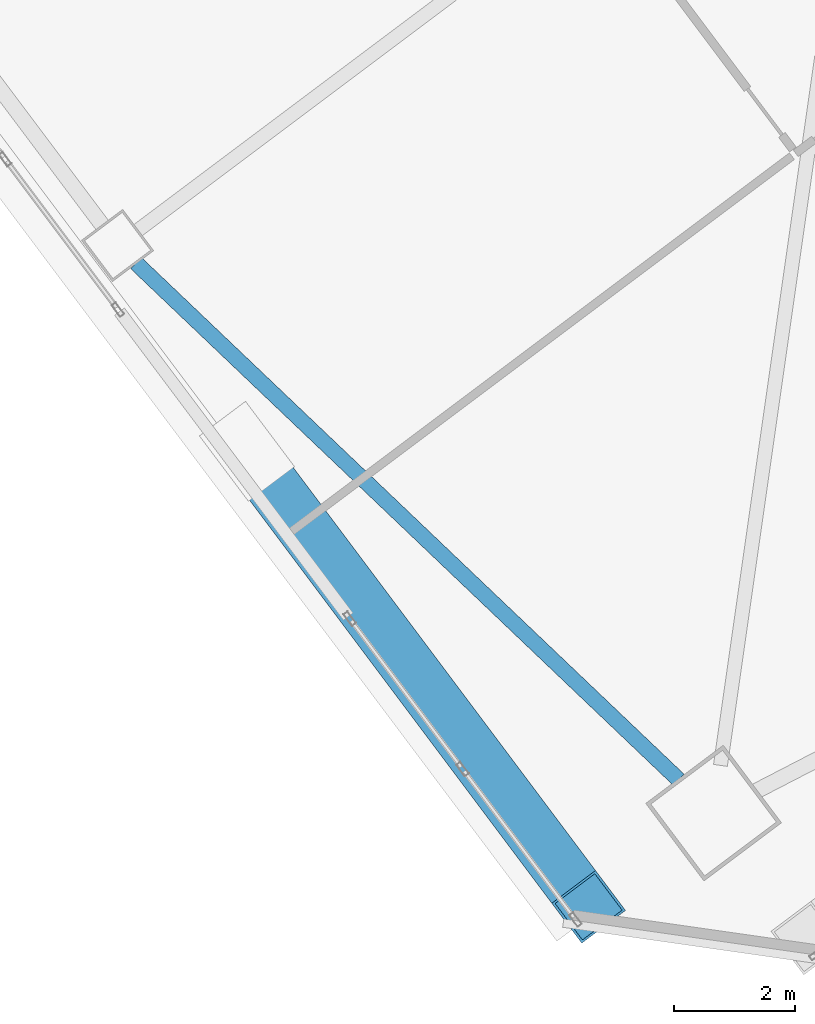
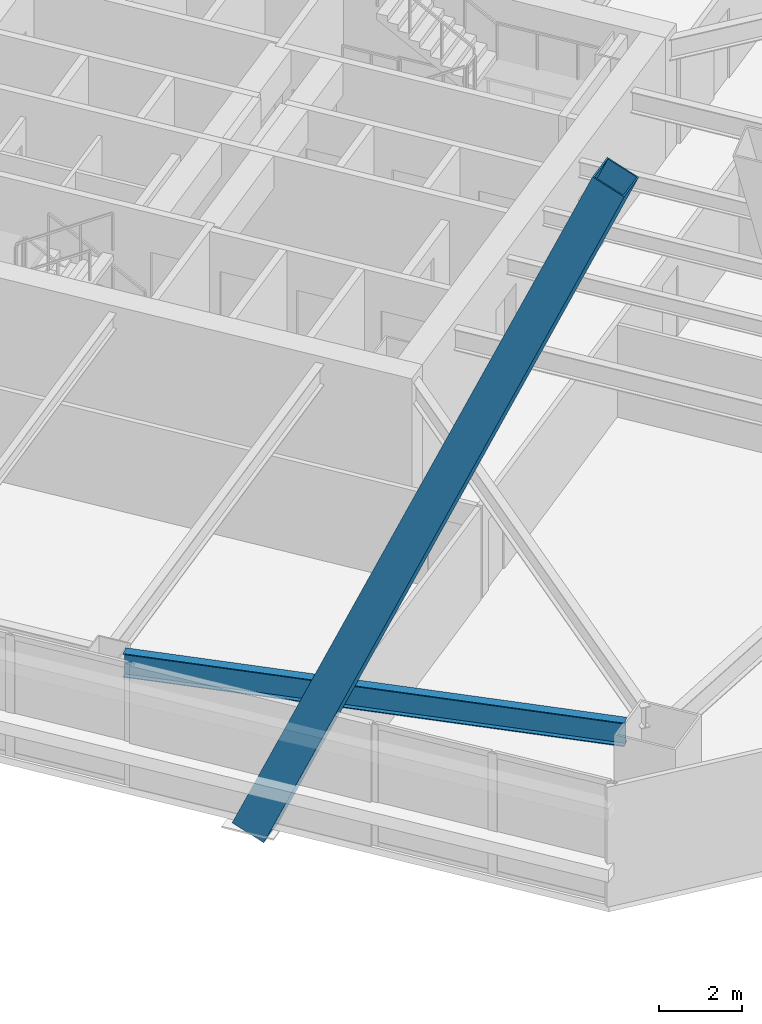
# One storey, part 33 of 75: 1 beam, 1 member.
"""IFC4 building model written with IfcOpenShell, lengths in metres."""

from ifc_helpers import new_model, si_unit, direction, frame, origin, origin_2d, place, context, subcontext, project, spatial, hollow_rectangle, i_section, extrude, material, material_profile, profile_set, type_object, element, save


model = new_model("IFC4")

# Units and contexts
model_context = context("Model", 3, precision=1e-05, world=origin(), true_north=direction((0.0, 1.0)))
body_context = subcontext(model_context, "Body", "Model", "MODEL_VIEW")
ifc_project = project(units=[si_unit("LENGTHUNIT", "METRE"), si_unit("AREAUNIT", "SQUARE_METRE"), si_unit("VOLUMEUNIT", "CUBIC_METRE"), si_unit("PLANEANGLEUNIT", "RADIAN"), si_unit("MASSUNIT", "GRAM", prefix="KILO")], contexts=[model_context])

# Site, building, storey
site_placement = place(None, origin())
site = spatial("IfcSite", under=ifc_project, at=site_placement, CompositionType="ELEMENT")
building_placement = place(site_placement, origin())
building = spatial("IfcBuilding", under=site, at=building_placement, Name="Tashvorn Skyway Center", CompositionType="ELEMENT")
storey_placement = place(building_placement, frame((0.0, 0.0, 45.89990234375)))
storey = spatial("IfcBuildingStorey", under=building, at=storey_placement, Name="L11", CompositionType="ELEMENT", Elevation=45.89990234375)

# Beam
ifc_material_1 = material(Name="Steel ASTM A992 Grade 50", Category="steel")
ifc_material_profile_1 = material_profile(ifc_material_1, i_section(OverallWidth=0.256103515625, OverallDepth=0.693115234375, WebThickness=0.014404296875, FlangeThickness=0.023681640625, at=origin_2d()), Name="W27X114")
ifc_profile_set_1 = profile_set([ifc_material_profile_1], Name="Steel ASTM A992 Grade 50")
beam_type = type_object("IfcBeamType", Name="BM-SPANDREL-W27X114", PredefinedType="SPANDREL", material=ifc_profile_set_1)
beam_placement = place(storey_placement, frame((100.7041015625, 14.76025390625, 3.003662109375), z_axis=(0.724200339835, -0.689589637236, 0.0), x_axis=(0.689589637236, 0.724200339835, 0.0)))
element("IfcBeam", 1, at=beam_placement, inside=storey, type_object=beam_type, Name="Tower 2 L11 Spandrel Beam 12", PredefinedType="SPANDREL", context=body_context, shape_type="SweptSolid", body=[
    extrude(i_section(OverallWidth=0.256103515625, OverallDepth=0.693115234375, WebThickness=0.014404296875, FlangeThickness=0.023681640625, at=origin_2d()), origin(), (0.0, 0.0, 1.0), 12.37255859375),
])

# Member
ifc_material_2 = material(Name="Steel ASTM A572 Grade 50", Category="steel")
ifc_material_profile_2 = material_profile(ifc_material_2, hollow_rectangle(XDim=0.89990234375, YDim=0.89990234375, WallThickness=0.0400390625, at=origin_2d()), Name="BOX900x900x40")
ifc_profile_set_2 = profile_set([ifc_material_profile_2], Name="Steel ASTM A572 Grade 50")
member_type = type_object("IfcMemberType", Name="MEM-MB-900", PredefinedType="BRACE", material=ifc_profile_set_2)
member_placement = place(storey_placement, frame((102.535888671875, 11.652099609375, -0.449951171875), z_axis=(0.240362581762, -0.320476506079, 0.916253588446), x_axis=(0.799993766644, 0.600008311051, 0.0)))
element("IfcMember", 2, at=member_placement, inside=storey, type_object=member_type, Name="Tower 2 Zone 1 W Chevron Mega-Brace R2", PredefinedType="BRACE", context=body_context, shape_type="SweptSolid", body=[
    extrude(hollow_rectangle(XDim=0.89990234375, YDim=0.89990234375, WallThickness=0.0400390625, at=origin_2d()), origin(), (0.0, 0.0, 1.0), 23.465087890625),
])

save(model, "model.ifc")
